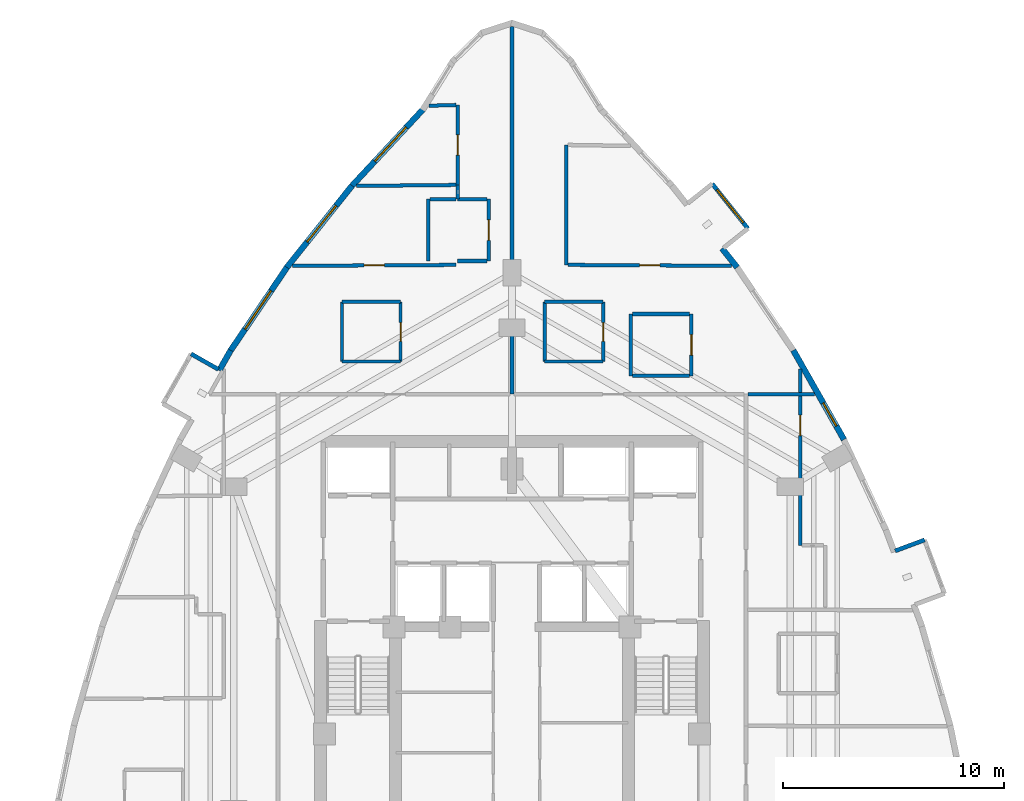
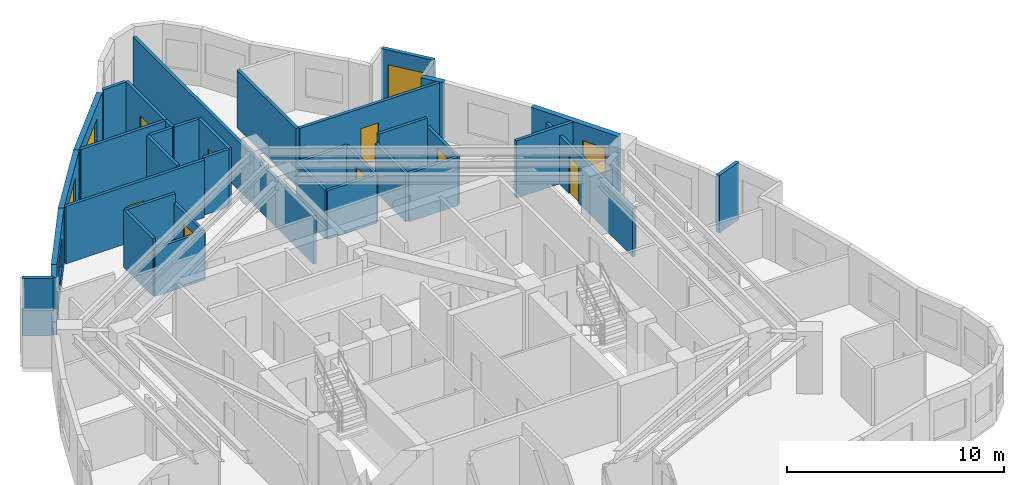
# One storey, part 10 of 12: 36 walls, 8 doors, 5 windows, 13 openings.
"""IFC4 building model written with IfcOpenShell, lengths in metres."""

import ifcopenshell
import ifcopenshell.guid

model = None  # the IFC model being written
_history = None  # IfcOwnerHistory: only IFC2X3 demands one
_inside = {}  # id of a spatial element -> (the spatial element, [elements in it])
_under = {}  # id of a project, library or spatial element -> (it, [spatial elements below it])
_declared = {}  # id of a project -> (the project, [libraries it declares])
_typed = {}  # id of a type object -> (the type object, [elements of that type])
_made_of = {}  # id of a material, layer set ... -> (it, [elements and type objects made of it])


def new_model(schema):
    """Start an empty IFC model of exactly this schema.

    Asked for "IFC4X3", IfcOpenShell would pick the latest addendum, in which some entities
    have other attributes; the version numbers below select the first issue.
    IFC2X3 requires an IfcOwnerHistory on every rooted entity: one is made here for all.
    """
    global model, _history
    if schema == "IFC4X3":
        model = ifcopenshell.file(schema_version=(4, 3, 0, 0))
    else:
        model = ifcopenshell.file(schema=schema)
    _inside.clear()
    _under.clear()
    _declared.clear()
    _typed.clear()
    _made_of.clear()
    _history = None
    if model.schema == "IFC2X3":
        org = make("IfcOrganization", Name="unknown")
        user = make(
            "IfcPersonAndOrganization",
            ThePerson=make("IfcPerson", FamilyName="unknown"),
            TheOrganization=org,
        )
        app = make(
            "IfcApplication",
            ApplicationDeveloper=org,
            Version="unknown",
            ApplicationFullName="unknown",
            ApplicationIdentifier="unknown",
        )
        _history = make(
            "IfcOwnerHistory",
            OwningUser=user,
            OwningApplication=app,
            ChangeAction="ADDED",
            CreationDate=0,
        )
    return model


def make(cls, **values):
    """One entity of the class cls with the attributes given. An attribute that is None is left unset."""
    return model.create_entity(
        cls, **{name: value for name, value in values.items() if value is not None}
    )


def rooted(cls, **values):
    """An entity with a GlobalId (a new one), such as an element, a storey or a relation."""
    return make(cls, GlobalId=ifcopenshell.guid.new(), OwnerHistory=_history, **values)


def si_unit(unit_type, name, prefix=None):
    """IfcSIUnit, for example si_unit("LENGTHUNIT", "METRE", prefix="MILLI")."""
    return make("IfcSIUnit", UnitType=unit_type, Prefix=prefix, Name=name)


def assignment(units):
    """IfcUnitAssignment: the units of a project."""
    return None if units is None else make("IfcUnitAssignment", Units=units)


def point(xyz):
    """IfcCartesianPoint."""
    return None if xyz is None else make("IfcCartesianPoint", Coordinates=xyz)


def direction(xyz):
    """IfcDirection."""
    return None if xyz is None else make("IfcDirection", DirectionRatios=xyz)


def frame(location, z_axis=None, x_axis=None):
    """IfcAxis2Placement3D, a coordinate frame: its origin and axes. An axis left out is left unset."""
    return make(
        "IfcAxis2Placement3D",
        Location=point(location),
        Axis=direction(z_axis),
        RefDirection=direction(x_axis),
    )


def frame_2d(location, x_axis=None):
    """IfcAxis2Placement2D, a coordinate frame in the plane: its origin and x axis."""
    return make(
        "IfcAxis2Placement2D", Location=point(location), RefDirection=direction(x_axis)
    )


def origin():
    """The frame at (0, 0, 0) with its axes left unset."""
    return frame((0.0, 0.0, 0.0))


def place(relative_to, where):
    """IfcLocalPlacement: puts the frame where relative to a parent placement (None: the world)."""
    return make(
        "IfcLocalPlacement", PlacementRelTo=relative_to, RelativePlacement=where
    )


def context(
    kind, dimensions, precision=None, world=None, true_north=None, identifier=None
):
    """IfcGeometricRepresentationContext, for example the 3D "Model" context."""
    return make(
        "IfcGeometricRepresentationContext",
        ContextIdentifier=identifier,
        ContextType=kind,
        CoordinateSpaceDimension=dimensions,
        Precision=precision,
        WorldCoordinateSystem=world,
        TrueNorth=true_north,
    )


def subcontext(parent, identifier, kind, view, scale=None):
    """IfcGeometricRepresentationSubContext, for example "Body" below "Model"."""
    return make(
        "IfcGeometricRepresentationSubContext",
        ContextIdentifier=identifier,
        ContextType=kind,
        ParentContext=parent,
        TargetScale=scale,
        TargetView=view,
    )


def project(units=None, contexts=None):
    """IfcProject with its units and contexts."""
    return rooted(
        "IfcProject",
        Name="project",
        RepresentationContexts=contexts,
        UnitsInContext=assignment(units),
    )


def spatial(cls, under=None, at=None, **own):
    """A site, building, storey or space (cls), placed at a placement, below another one or the project."""
    s = rooted(cls, ObjectPlacement=at, **own)
    if under is not None:
        _under.setdefault(under.id(), (under, []))[1].append(s)
    return s


def profile(cls, at=None, kind="AREA", **sizes):
    """A parametric profile (cls). Its sizes go by their IFC names, for example OverallWidth=200.0."""
    return make(cls, ProfileType=kind, Position=at, **sizes)


def rectangle(**sizes):
    """IfcRectangleProfileDef."""
    return profile("IfcRectangleProfileDef", **sizes)


def extrude(swept, where, along, depth):
    """IfcExtrudedAreaSolid: the profile swept, set in the frame where, extruded along a direction by depth."""
    return make(
        "IfcExtrudedAreaSolid",
        SweptArea=swept,
        Position=where,
        ExtrudedDirection=direction(along),
        Depth=depth,
    )


def shape(context_of_items, identifier, shape_type, items):
    """IfcShapeRepresentation: the items that make up one representation, for example the "Body"."""
    return make(
        "IfcShapeRepresentation",
        ContextOfItems=context_of_items,
        RepresentationIdentifier=identifier,
        RepresentationType=shape_type,
        Items=items,
    )


def material(Name=None, Category=None):
    """IfcMaterial."""
    return make("IfcMaterial", Name=Name, Category=Category)


def layer(
    of_material, thickness, ventilated=None, Name=None, Category=None, Priority=None
):
    """IfcMaterialLayer: one layer of a wall or slab, of a material (None: an air gap)."""
    return make(
        "IfcMaterialLayer",
        Material=of_material,
        LayerThickness=thickness,
        IsVentilated=ventilated,
        Name=Name,
        Category=Category,
        Priority=Priority,
    )


def layer_set(layers, Name=None):
    """IfcMaterialLayerSet."""
    return make("IfcMaterialLayerSet", MaterialLayers=layers, LayerSetName=Name)


def made_of(thing, what):
    """Note that an element or type object is made of a material, layer set ...; save() writes the relation."""
    if what is not None:
        _made_of.setdefault(what.id(), (what, []))[1].append(thing)
    return thing


def type_object(cls, material=None, **own):
    """A type object (cls), such as IfcWallType, which elements share."""
    return made_of(rooted(cls, **own), material)


def element(
    cls,
    number,
    at=None,
    inside=None,
    cuts=None,
    type_object=None,
    material=None,
    context=None,
    identifier="Body",
    shape_type=None,
    held_by="IfcProductDefinitionShape",
    body=None,
    shapes=None,
    **own,
):
    """One element of the class cls, such as IfcWall. Its Tag is "e" and its number.

    at: its placement. inside: the storey or other place that contains it. cuts: it is an
    opening in that element (IfcRelVoidsElement). A single representation is given by context,
    identifier, shape_type and body (its items); several are given by shapes. held_by: the class
    of the entity that holds the representations. save() writes the other relations.
    """
    e = rooted(cls, Tag="e%d" % number, ObjectPlacement=at, **own)
    if body is not None:
        shapes = [shape(context, identifier, shape_type, body)]
    if shapes is not None:
        e.Representation = make(held_by, Representations=shapes)
    if inside is not None:
        _inside.setdefault(inside.id(), (inside, []))[1].append(e)
    if cuts is not None:
        rooted(
            "IfcRelVoidsElement", RelatingBuildingElement=cuts, RelatedOpeningElement=e
        )
    if type_object is not None:
        _typed.setdefault(type_object.id(), (type_object, []))[1].append(e)
    return made_of(e, material)


def fill(opening, filler):
    """IfcRelFillsElement: the door or window that sits in an opening."""
    return rooted(
        "IfcRelFillsElement",
        RelatingOpeningElement=opening,
        RelatedBuildingElement=filler,
    )


def aggregate(whole, parts):
    """IfcRelAggregates: a whole, such as a stair, and the parts it consists of."""
    return rooted("IfcRelAggregates", RelatingObject=whole, RelatedObjects=parts)


def save(model, path):
    """Write the relations noted so far, then the file.

    IfcRelAggregates (storeys below a building ...), IfcRelContainedInSpatialStructure (elements
    in a storey), IfcRelDefinesByType, IfcRelAssociatesMaterial and IfcRelDeclares: one each for
    every whole, place, type object, material and project.
    """
    for whole, parts in _under.values():
        aggregate(whole, parts)
    for where, things in _inside.values():
        rooted(
            "IfcRelContainedInSpatialStructure",
            RelatedElements=things,
            RelatingStructure=where,
        )
    for kind, things in _typed.values():
        rooted("IfcRelDefinesByType", RelatedObjects=things, RelatingType=kind)
    for what, things in _made_of.values():
        rooted("IfcRelAssociatesMaterial", RelatedObjects=things, RelatingMaterial=what)
    for by, libraries in _declared.values():
        rooted("IfcRelDeclares", RelatingContext=by, RelatedDefinitions=libraries)
    model.write(path)


model = new_model("IFC4")

# Units and contexts
model_context = context("Model", 3, precision=1e-05, world=origin(), true_north=direction((0.0, 1.0)))
body_context = subcontext(model_context, "Body", "Model", "MODEL_VIEW")
ifc_project = project(units=[si_unit("LENGTHUNIT", "METRE"), si_unit("AREAUNIT", "SQUARE_METRE"), si_unit("VOLUMEUNIT", "CUBIC_METRE"), si_unit("PLANEANGLEUNIT", "RADIAN"), si_unit("MASSUNIT", "GRAM", prefix="KILO")], contexts=[model_context])

# Site, building, storey
site_placement = place(None, origin())
site = spatial("IfcSite", under=ifc_project, at=site_placement, CompositionType="ELEMENT")
building_placement = place(site_placement, origin())
building = spatial("IfcBuilding", under=site, at=building_placement, Name="Miruveldt Soraemaru", CompositionType="ELEMENT")
storey_placement = place(building_placement, frame((0.0, 0.0, 103.89990234375)))
storey = spatial("IfcBuildingStorey", under=building, at=storey_placement, Name="L28", CompositionType="ELEMENT", Elevation=103.89990234375)

# Walls
ifc_material_1 = material(Name="White powder-coated aluminium EN AW-6060 T6", Category="aluminium")
ifc_layer_1 = layer(ifc_material_1, 0.18994140625, Name="White powder-coated aluminium EN AW-6060 T6", Category="aluminium")
ifc_layer_set_1 = layer_set([ifc_layer_1], Name="White powder-coated aluminium EN AW-6060 T6")
wall_type_1 = type_object("IfcWallType", Name="WALL-BAY-ALU190", PredefinedType="SOLIDWALL", material=ifc_layer_set_1)
for number, where, z_axis, x_axis, name in (
    (1, (30.7021484375, 55.720703125, 0.0), (0.0, 0.0, 1.0), (-0.869799191674, 0.493405883794, 0.0), "L28 Bay Window Side Cheek 4L"),
    (2, (62.691650390625, 47.997314453125, 0.0), (0.0, 0.0, 1.0), (-0.937073323404, -0.34913262031, 0.0), "L28 Bay Window Side Cheek 2R"),
):
    element("IfcWall", number, at=place(storey_placement, frame(where, z_axis=z_axis, x_axis=x_axis)), inside=storey, type_object=wall_type_1, Name=name, PredefinedType="SOLIDWALL", context=body_context, shape_type="SweptSolid", body=[
        extrude(rectangle(XDim=1.425048828125, YDim=0.18994140625, at=frame_2d((0.71240234375, 0.0))), origin(), (0.0, 0.0, 1.0), 3.235107421875),
    ])

# Wall, opening, window
wall_1_placement = place(storey_placement, frame((54.690673828125, 62.099365234375, 0.0), z_axis=(0.0, 0.0, 1.0), x_axis=(-0.623606546405, 0.781738367538, 0.0)))
wall_1 = element("IfcWall", 3, at=wall_1_placement, inside=storey, type_object=wall_type_1, Name="L28 Bay Window Front Frame 3", PredefinedType="SOLIDWALL", context=body_context, shape_type="SweptSolid", body=[
    extrude(rectangle(XDim=2.599853515625, YDim=0.18994140625, at=frame_2d((1.2998046875, 0.0))), origin(), (0.0, 0.0, 1.0), 3.235107421875),
])
opening_1_placement = place(wall_1_placement, frame((0.35009765625, 0.0, 0.550048828125)))
opening_1 = element("IfcOpeningElement", 4, at=opening_1_placement, cuts=wall_1, Name="Opening WN-6", PredefinedType="OPENING", context=body_context, shape_type="SweptSolid", body=[
    extrude(rectangle(XDim=1.89990234375, YDim=1.85009765625, at=frame_2d((0.949951171875, 0.925048828125))), frame((0.0, 0.10498046875, 0.0), z_axis=(0.0, -1.0, 0.0), x_axis=(1.0, 0.0, 0.0)), (0.0, 0.0, 1.0), 0.2099609375),
])
ifc_material_2 = material(Name="Triple low-e insulated glazing", Category="glass")
window_type_1 = type_object("IfcWindowType", Name="WIN-BAYW-1900x1850", PartitioningType="SINGLE_PANEL", PredefinedType="WINDOW", material=ifc_material_2)
window_1_placement = place(opening_1_placement, origin())
window_1 = element("IfcWindow", 5, at=window_1_placement, inside=storey, type_object=window_type_1, Name="L28 Projecting Bay Window 3", OverallHeight=1.85009765625, OverallWidth=1.89990234375, PartitioningType="SINGLE_PANEL", PredefinedType="WINDOW", context=body_context, shape_type="SweptSolid", body=[
    extrude(rectangle(XDim=1.89990234375, YDim=1.85009765625, at=frame_2d((0.949951171875, 0.925048828125))), frame((0.0, 0.030029296875, 0.0), z_axis=(0.0, -1.0, 0.0), x_axis=(1.0, 0.0, 0.0)), (0.0, 0.0, 1.0), 0.06005859375),
])
fill(opening_1, window_1)

ifc_material_3 = material(Name="Precast concrete C45/55 (45 MPa)", Category="concrete")
ifc_layer_2 = layer(ifc_material_3, 0.27001953125, Name="Precast concrete C45/55 (45 MPa)", Category="concrete")
ifc_layer_set_2 = layer_set([ifc_layer_2], Name="Precast concrete C45/55 (45 MPa)")
wall_type_2 = type_object("IfcWallType", Name="WALL-EXT-PC270", PredefinedType="SOLIDWALL", material=ifc_layer_set_2)
wall_2_placement = place(storey_placement, frame((39.990478515625, 67.521240234375, 0.0), z_axis=(0.0, 0.0, 1.0), x_axis=(-0.680886087192, -0.732389333803, 0.0)))
wall_2 = element("IfcWall", 6, at=wall_2_placement, inside=storey, type_object=wall_type_2, Name="L28 Precast Concrete Facade Wall 7", PredefinedType="SOLIDWALL", context=body_context, shape_type="SweptSolid", body=[
    extrude(rectangle(XDim=4.82080078125, YDim=0.27001953125, at=frame_2d((2.410400390625, 0.0))), origin(), (0.0, 0.0, 1.0), 3.235107421875),
])
opening_2_placement = place(wall_2_placement, frame((1.14404296875, 0.0, 0.800048828125)))
opening_2 = element("IfcOpeningElement", 7, at=opening_2_placement, cuts=wall_2, Name="Opening WN-1", PredefinedType="OPENING", context=body_context, shape_type="SweptSolid", body=[
    extrude(rectangle(XDim=2.10009765625, YDim=1.699951171875, at=frame_2d((1.050048828125, 0.85009765625))), frame((0.0, 0.14501953125, 0.0), z_axis=(0.0, -1.0, 0.0), x_axis=(1.0, 0.0, 0.0)), (0.0, 0.0, 1.0), 0.2900390625),
])
window_type_2 = type_object("IfcWindowType", Name="WIN-PUNCH-2100x1700", PartitioningType="SINGLE_PANEL", PredefinedType="WINDOW", material=ifc_material_2)
window_2_placement = place(opening_2_placement, origin())
window_2 = element("IfcWindow", 8, at=window_2_placement, inside=storey, type_object=window_type_2, Name="L28 Punched Triple-Glazed Window 07.1", OverallHeight=1.699951171875, OverallWidth=2.10009765625, PartitioningType="SINGLE_PANEL", PredefinedType="WINDOW", context=body_context, shape_type="SweptSolid", body=[
    extrude(rectangle(XDim=2.10009765625, YDim=1.699951171875, at=frame_2d((1.050048828125, 0.85009765625))), frame((0.0, 0.030029296875, 0.0), z_axis=(0.0, -1.0, 0.0), x_axis=(1.0, 0.0, 0.0)), (0.0, 0.0, 1.0), 0.06005859375),
])
fill(opening_2, window_2)

wall_3_placement = place(storey_placement, frame((36.753662109375, 64.043701171875, 0.0), z_axis=(0.0, 0.0, 1.0), x_axis=(-0.62358791195, -0.78175323221, 0.0)))
wall_3 = element("IfcWall", 9, at=wall_3_placement, inside=storey, type_object=wall_type_2, Name="L28 Precast Concrete Facade Wall 8", PredefinedType="SOLIDWALL", context=body_context, shape_type="SweptSolid", body=[
    extrude(rectangle(XDim=4.735595703125, YDim=0.27001953125, at=frame_2d((2.36767578125, 0.0))), origin(), (0.0, 0.0, 1.0), 3.235107421875),
])
opening_3_placement = place(wall_3_placement, frame((1.158935546875, 0.0, 0.800048828125)))
opening_3 = element("IfcOpeningElement", 10, at=opening_3_placement, cuts=wall_3, Name="Opening WN-1", PredefinedType="OPENING", context=body_context, shape_type="SweptSolid", body=[
    extrude(rectangle(XDim=2.10009765625, YDim=1.699951171875, at=frame_2d((1.050048828125, 0.85009765625))), frame((0.0, 0.14501953125, 0.0), z_axis=(0.0, -1.0, 0.0), x_axis=(1.0, 0.0, 0.0)), (0.0, 0.0, 1.0), 0.2900390625),
])
window_3_placement = place(opening_3_placement, origin())
window_3 = element("IfcWindow", 11, at=window_3_placement, inside=storey, type_object=window_type_2, Name="L28 Punched Triple-Glazed Window 08.1", OverallHeight=1.699951171875, OverallWidth=2.10009765625, PartitioningType="SINGLE_PANEL", PredefinedType="WINDOW", context=body_context, shape_type="SweptSolid", body=[
    extrude(rectangle(XDim=2.10009765625, YDim=1.699951171875, at=frame_2d((1.050048828125, 0.85009765625))), frame((0.0, 0.030029296875, 0.0), z_axis=(0.0, -1.0, 0.0), x_axis=(1.0, 0.0, 0.0)), (0.0, 0.0, 1.0), 0.06005859375),
])
fill(opening_3, window_3)

wall_4_placement = place(storey_placement, frame((33.841796875, 60.39794921875, 0.0), z_axis=(0.0, 0.0, 1.0), x_axis=(-0.560815831127, -0.827940579726, 0.0)))
wall_4 = element("IfcWall", 12, at=wall_4_placement, inside=storey, type_object=wall_type_2, Name="L28 Precast Concrete Facade Wall 9", PredefinedType="SOLIDWALL", context=body_context, shape_type="SweptSolid", body=[
    extrude(rectangle(XDim=4.677734375, YDim=0.27001953125, at=frame_2d((2.3388671875, 0.0))), origin(), (0.0, 0.0, 1.0), 3.235107421875),
])
opening_4_placement = place(wall_4_placement, frame((1.346923828125, 0.0, 0.800048828125)))
opening_4 = element("IfcOpeningElement", 13, at=opening_4_placement, cuts=wall_4, Name="Opening WN-1", PredefinedType="OPENING", context=body_context, shape_type="SweptSolid", body=[
    extrude(rectangle(XDim=2.10009765625, YDim=1.699951171875, at=frame_2d((1.050048828125, 0.85009765625))), frame((0.0, 0.14501953125, 0.0), z_axis=(0.0, -1.0, 0.0), x_axis=(1.0, 0.0, 0.0)), (0.0, 0.0, 1.0), 0.2900390625),
])
window_4_placement = place(opening_4_placement, origin())
window_4 = element("IfcWindow", 14, at=window_4_placement, inside=storey, type_object=window_type_2, Name="L28 Punched Triple-Glazed Window 09.1", OverallHeight=1.699951171875, OverallWidth=2.10009765625, PartitioningType="SINGLE_PANEL", PredefinedType="WINDOW", context=body_context, shape_type="SweptSolid", body=[
    extrude(rectangle(XDim=2.10009765625, YDim=1.699951171875, at=frame_2d((1.050048828125, 0.85009765625))), frame((0.0, 0.030029296875, 0.0), z_axis=(0.0, -1.0, 0.0), x_axis=(1.0, 0.0, 0.0)), (0.0, 0.0, 1.0), 0.06005859375),
])
fill(opening_4, window_4)

# Wall
wall_5_placement = place(storey_placement, frame((31.25537109375, 56.584716796875, 0.0), z_axis=(0.0, 0.0, 1.0), x_axis=(-0.493368864845, -0.869820190155, 0.0)))
element("IfcWall", 15, at=wall_5_placement, inside=storey, type_object=wall_type_2, Name="L28 Precast Pier Wall 10A", PredefinedType="SOLIDWALL", context=body_context, shape_type="SweptSolid", body=[
    extrude(rectangle(XDim=1.054443359375, YDim=0.27001953125, at=frame_2d((0.52734375, 0.0))), origin(), (0.0, 0.0, 1.0), 3.235107421875),
])

# Wall, opening, window
wall_6_placement = place(storey_placement, frame((59.0380859375, 52.541259765625, 0.0), z_axis=(0.0, 0.0, 1.0), x_axis=(-0.493365015051, 0.869822373778, 0.0)))
wall_6 = element("IfcWall", 16, at=wall_6_placement, inside=storey, type_object=wall_type_2, Name="L28 Precast Concrete Facade Wall 39", PredefinedType="SOLIDWALL", context=body_context, shape_type="SweptSolid", body=[
    extrude(rectangle(XDim=4.648681640625, YDim=0.27001953125, at=frame_2d((2.32421875, 0.0))), origin(), (0.0, 0.0, 1.0), 3.235107421875),
])
opening_5_placement = place(wall_6_placement, frame((0.700927734375, 0.0, 0.780029296875)))
opening_5 = element("IfcOpeningElement", 17, at=opening_5_placement, cuts=wall_6, Name="Opening WN-4", PredefinedType="OPENING", context=body_context, shape_type="SweptSolid", body=[
    extrude(rectangle(XDim=1.199951171875, YDim=1.550048828125, at=frame_2d((0.60009765625, 0.77490234375))), frame((0.0, 0.14501953125, 0.0), z_axis=(0.0, -1.0, 0.0), x_axis=(1.0, 0.0, 0.0)), (0.0, 0.0, 1.0), 0.2900390625),
])
window_type_3 = type_object("IfcWindowType", Name="WIN-PUNCH-1200x1550", PartitioningType="SINGLE_PANEL", PredefinedType="WINDOW", material=ifc_material_2)
window_5_placement = place(opening_5_placement, origin())
window_5 = element("IfcWindow", 18, at=window_5_placement, inside=storey, type_object=window_type_3, Name="L28 Punched Triple-Glazed Window 39.1", OverallHeight=1.550048828125, OverallWidth=1.199951171875, PartitioningType="SINGLE_PANEL", PredefinedType="WINDOW", context=body_context, shape_type="SweptSolid", body=[
    extrude(rectangle(XDim=1.199951171875, YDim=1.550048828125, at=frame_2d((0.60009765625, 0.77490234375))), frame((0.0, 0.030029296875, 0.0), z_axis=(0.0, -1.0, 0.0), x_axis=(1.0, 0.0, 0.0)), (0.0, 0.0, 1.0), 0.06005859375),
])
fill(opening_5, window_5)

# Wall
wall_7_placement = place(storey_placement, frame((54.199462890625, 60.341552734375, 0.0), z_axis=(0.0, 0.0, 1.0), x_axis=(-0.623609566666, 0.781735958213, 0.0)))
element("IfcWall", 19, at=wall_7_placement, inside=storey, type_object=wall_type_2, Name="L28 Precast Pier Wall 41A", PredefinedType="SOLIDWALL", context=body_context, shape_type="SweptSolid", body=[
    extrude(rectangle(XDim=1.09765625, YDim=0.27001953125, at=frame_2d((0.548828125, 0.0))), origin(), (0.0, 0.0, 1.0), 3.235107421875),
])

# Wall, opening, door
ifc_material_4 = material(Name="Gypsum plasterboard lining", Category="gypsum")
ifc_layer_3 = layer(ifc_material_4, 0.14990234375, Name="Gypsum plasterboard lining", Category="gypsum")
ifc_layer_set_3 = layer_set([ifc_layer_3], Name="Gypsum plasterboard lining")
wall_type_3 = type_object("IfcWallType", Name="WALL-INT-PLUMB", PredefinedType="PLUMBINGWALL", material=ifc_layer_set_3)
wall_8_placement = place(storey_placement, frame((38.952880859375, 56.080078125, 0.0), z_axis=(0.0, 0.0, 1.0), x_axis=(0.0, 1.0, 0.0)))
wall_8 = element("IfcWall", 20, at=wall_8_placement, inside=storey, type_object=wall_type_3, Name="L28 Partition Wall 9", PredefinedType="PLUMBINGWALL", context=body_context, shape_type="SweptSolid", body=[
    extrude(rectangle(XDim=2.699951171875, YDim=0.14990234375, at=frame_2d((1.35009765625, 0.0))), origin(), (0.0, 0.0, 1.0), 2.72314453125),
])
opening_6_placement = place(wall_8_placement, frame((0.909912109375, 0.0, 0.0)))
opening_6 = element("IfcOpeningElement", 21, at=opening_6_placement, cuts=wall_8, Name="Opening FD3", PredefinedType="OPENING", context=body_context, shape_type="SweptSolid", body=[
    extrude(rectangle(XDim=0.85009765625, YDim=2.10009765625, at=frame_2d((0.425048828125, 1.050048828125))), frame((0.0, 0.0849609375, 0.0), z_axis=(0.0, -1.0, 0.0), x_axis=(1.0, 0.0, 0.0)), (0.0, 0.0, 1.0), 0.169921875),
])
ifc_material_5 = material(Name="Anodised aluminium EN AW-6063 T6", Category="aluminium")
door_type_1 = type_object("IfcDoorType", Name="DOOR-FD3-850", OperationType="NOTDEFINED", PredefinedType="DOOR", material=ifc_material_5)
door_1_placement = place(opening_6_placement, origin())
door_1 = element("IfcDoor", 22, at=door_1_placement, inside=storey, type_object=door_type_1, Name="L28 Unit 2801 BTH Door", OperationType="SINGLE_SWING_RIGHT", OverallHeight=2.10009765625, OverallWidth=0.85009765625, PredefinedType="DOOR", context=body_context, shape_type="SweptSolid", body=[
    extrude(rectangle(XDim=0.85009765625, YDim=2.10009765625, at=frame_2d((0.425048828125, 1.050048828125))), frame((0.0, 0.02490234375, 0.0), z_axis=(0.0, -1.0, 0.0), x_axis=(1.0, 0.0, 0.0)), (0.0, 0.0, 1.0), 0.050048828125),
])
fill(opening_6, door_1)

wall_9_placement = place(storey_placement, frame((48.1298828125, 56.080078125, 0.0), z_axis=(0.0, 0.0, 1.0), x_axis=(0.0, 1.0, 0.0)))
wall_9 = element("IfcWall", 23, at=wall_9_placement, inside=storey, type_object=wall_type_3, Name="L28 Partition Wall 25", PredefinedType="PLUMBINGWALL", context=body_context, shape_type="SweptSolid", body=[
    extrude(rectangle(XDim=2.699951171875, YDim=0.14990234375, at=frame_2d((1.35009765625, 0.0))), origin(), (0.0, 0.0, 1.0), 2.72314453125),
])
opening_7_placement = place(wall_9_placement, frame((0.909912109375, 0.0, 0.0)))
opening_7 = element("IfcOpeningElement", 24, at=opening_7_placement, cuts=wall_9, Name="Opening FD3", PredefinedType="OPENING", context=body_context, shape_type="SweptSolid", body=[
    extrude(rectangle(XDim=0.85009765625, YDim=2.10009765625, at=frame_2d((0.425048828125, 1.050048828125))), frame((0.0, 0.0849609375, 0.0), z_axis=(0.0, -1.0, 0.0), x_axis=(1.0, 0.0, 0.0)), (0.0, 0.0, 1.0), 0.169921875),
])
door_2_placement = place(opening_7_placement, origin())
door_2 = element("IfcDoor", 25, at=door_2_placement, inside=storey, type_object=door_type_1, Name="L28 Unit 2802 BTH Door", OperationType="SINGLE_SWING_LEFT", OverallHeight=2.10009765625, OverallWidth=0.85009765625, PredefinedType="DOOR", context=body_context, shape_type="SweptSolid", body=[
    extrude(rectangle(XDim=0.85009765625, YDim=2.10009765625, at=frame_2d((0.425048828125, 1.050048828125))), frame((0.0, 0.02490234375, 0.0), z_axis=(0.0, -1.0, 0.0), x_axis=(1.0, 0.0, 0.0)), (0.0, 0.0, 1.0), 0.050048828125),
])
fill(opening_7, door_2)

# Walls
wall_10_placement = place(storey_placement, frame((36.302978515625, 58.780029296875, 0.0), z_axis=(0.0, 0.0, 1.0), x_axis=(0.0, -1.0, 0.0)))
element("IfcWall", 26, at=wall_10_placement, inside=storey, type_object=wall_type_3, Name="L28 Partition Wall 11", PredefinedType="PLUMBINGWALL", context=body_context, shape_type="SweptSolid", body=[
    extrude(rectangle(XDim=2.699951171875, YDim=0.14990234375, at=frame_2d((1.35009765625, 0.0))), origin(), (0.0, 0.0, 1.0), 3.235107421875),
])
wall_11_placement = place(storey_placement, frame((45.47998046875, 58.780029296875, 0.0), z_axis=(0.0, 0.0, 1.0), x_axis=(0.0, -1.0, 0.0)))
element("IfcWall", 27, at=wall_11_placement, inside=storey, type_object=wall_type_3, Name="L28 Partition Wall 27", PredefinedType="PLUMBINGWALL", context=body_context, shape_type="SweptSolid", body=[
    extrude(rectangle(XDim=2.699951171875, YDim=0.14990234375, at=frame_2d((1.35009765625, 0.0))), origin(), (0.0, 0.0, 1.0), 2.735107421875),
])
wall_12_placement = place(storey_placement, frame((38.952880859375, 58.780029296875, 0.0), z_axis=(0.0, 0.0, 1.0), x_axis=(-1.0, 0.0, 0.0)))
element("IfcWall", 28, at=wall_12_placement, inside=storey, type_object=wall_type_3, Name="L28 Partition Wall 10", PredefinedType="PLUMBINGWALL", context=body_context, shape_type="SweptSolid", body=[
    extrude(rectangle(XDim=2.64990234375, YDim=0.14990234375, at=frame_2d((1.324951171875, 0.0))), origin(), (0.0, 0.0, 1.0), 3.235107421875),
])
for number, where, z_axis, x_axis, name in (
    (29, (36.302978515625, 56.080078125, 0.0), (0.0, 0.0, 1.0), (1.0, 0.0, 0.0), "L28 Partition Wall 12"),
    (30, (48.1298828125, 58.780029296875, 0.0), (0.0, 0.0, 1.0), (-1.0, 0.0, 0.0), "L28 Partition Wall 26"),
):
    element("IfcWall", number, at=place(storey_placement, frame(where, z_axis=z_axis, x_axis=x_axis)), inside=storey, type_object=wall_type_3, Name=name, PredefinedType="PLUMBINGWALL", context=body_context, shape_type="SweptSolid", body=[
        extrude(rectangle(XDim=2.64990234375, YDim=0.14990234375, at=frame_2d((1.324951171875, 0.0))), origin(), (0.0, 0.0, 1.0), 2.72314453125),
    ])
wall_13_placement = place(storey_placement, frame((45.47998046875, 56.080078125, 0.0), z_axis=(0.0, 0.0, 1.0), x_axis=(1.0, 0.0, 0.0)))
element("IfcWall", 31, at=wall_13_placement, inside=storey, type_object=wall_type_3, Name="L28 Partition Wall 28", PredefinedType="PLUMBINGWALL", context=body_context, shape_type="SweptSolid", body=[
    extrude(rectangle(XDim=2.64990234375, YDim=0.14990234375, at=frame_2d((1.324951171875, 0.0))), origin(), (0.0, 0.0, 1.0), 2.735107421875),
])

# Wall, opening, door
ifc_material_6 = material(Name="Concrete C40/50 (40 MPa)", Category="concrete")
ifc_layer_4 = layer(ifc_material_6, 0.159912109375, Name="Concrete C40/50 (40 MPa)", Category="concrete")
ifc_layer_set_4 = layer_set([ifc_layer_4], Name="Concrete C40/50 (40 MPa)")
wall_type_4 = type_object("IfcWallType", Name="WALL-INT-RC160", PredefinedType="SOLIDWALL", material=ifc_layer_set_4)
wall_14_placement = place(storey_placement, frame((57.050048828125, 47.7490234375, 0.0), z_axis=(0.0, 0.0, 1.0), x_axis=(0.0, 1.0, 0.0)))
wall_14 = element("IfcWall", 32, at=wall_14_placement, inside=storey, type_object=wall_type_4, Name="L28 Partition Wall 65", PredefinedType="SOLIDWALL", context=body_context, shape_type="SweptSolid", body=[
    extrude(rectangle(XDim=7.992919921875, YDim=0.159912109375, at=frame_2d((3.99658203125, 0.0))), origin(), (0.0, 0.0, 1.0), 2.72314453125),
])
opening_8_placement = place(wall_14_placement, frame((4.97607421875, 0.0, 0.0)))
opening_8 = element("IfcOpeningElement", 33, at=opening_8_placement, cuts=wall_14, Name="Opening D3A", PredefinedType="OPENING", context=body_context, shape_type="SweptSolid", body=[
    extrude(rectangle(XDim=0.919921875, YDim=2.10009765625, at=frame_2d((0.4599609375, 1.050048828125))), frame((0.0, 0.08984375, 0.0), z_axis=(0.0, -1.0, 0.0), x_axis=(1.0, 0.0, 0.0)), (0.0, 0.0, 1.0), 0.179931640625),
])
door_type_2 = type_object("IfcDoorType", Name="DOOR-INT-920", OperationType="NOTDEFINED", PredefinedType="DOOR", material=ifc_material_5)
door_3_placement = place(opening_8_placement, origin())
door_3 = element("IfcDoor", 34, at=door_3_placement, inside=storey, type_object=door_type_2, Name="L28 Unit 2805 BD1 Door", OperationType="SINGLE_SWING_LEFT", OverallHeight=2.10009765625, OverallWidth=0.919921875, PredefinedType="DOOR", context=body_context, shape_type="SweptSolid", body=[
    extrude(rectangle(XDim=0.919921875, YDim=2.10009765625, at=frame_2d((0.4599609375, 1.050048828125))), frame((0.0, 0.02490234375, 0.0), z_axis=(0.0, -1.0, 0.0), x_axis=(1.0, 0.0, 0.0)), (0.0, 0.0, 1.0), 0.050048828125),
])
fill(opening_8, door_3)

wall_15_placement = place(storey_placement, frame((41.469970703125, 60.452880859375, 0.0), z_axis=(0.0, 0.0, 1.0), x_axis=(-0.999983245828, -0.005788615026, 0.0)))
wall_15 = element("IfcWall", 35, at=wall_15_placement, inside=storey, type_object=wall_type_4, Name="L28 Partition Wall 17", PredefinedType="SOLIDWALL", context=body_context, shape_type="SweptSolid", body=[
    extrude(rectangle(XDim=7.423095703125, YDim=0.159912109375, at=frame_2d((3.71142578125, 0.0))), origin(), (0.0, 0.0, 1.0), 3.235107421875),
])
opening_9_placement = place(wall_15_placement, frame((3.251953125, 0.0, 0.0)))
opening_9 = element("IfcOpeningElement", 36, at=opening_9_placement, cuts=wall_15, Name="Opening D3A", PredefinedType="OPENING", context=body_context, shape_type="SweptSolid", body=[
    extrude(rectangle(XDim=0.919921875, YDim=2.10009765625, at=frame_2d((0.4599609375, 1.050048828125))), frame((0.0, 0.08984375, 0.0), z_axis=(0.0, -1.0, 0.0), x_axis=(1.0, 0.0, 0.0)), (0.0, 0.0, 1.0), 0.179931640625),
])
door_4_placement = place(opening_9_placement, origin())
door_4 = element("IfcDoor", 37, at=door_4_placement, inside=storey, type_object=door_type_2, Name="L28 Unit 2801 BD1 Door", OperationType="SINGLE_SWING_RIGHT", OverallHeight=2.10009765625, OverallWidth=0.919921875, PredefinedType="DOOR", context=body_context, shape_type="SweptSolid", body=[
    extrude(rectangle(XDim=0.919921875, YDim=2.10009765625, at=frame_2d((0.4599609375, 1.050048828125))), frame((0.0, 0.02490234375, 0.0), z_axis=(0.0, -1.0, 0.0), x_axis=(1.0, 0.0, 0.0)), (0.0, 0.0, 1.0), 0.050048828125),
])
fill(opening_9, door_4)

wall_16_placement = place(storey_placement, frame((53.952880859375, 60.409912109375, 0.0), z_axis=(0.0, 0.0, 1.0), x_axis=(-0.999983245828, 0.005788615026, 0.0)))
wall_16 = element("IfcWall", 38, at=wall_16_placement, inside=storey, type_object=wall_type_4, Name="L28 Partition Wall 33", PredefinedType="SOLIDWALL", context=body_context, shape_type="SweptSolid", body=[
    extrude(rectangle(XDim=7.423095703125, YDim=0.159912109375, at=frame_2d((3.71142578125, 0.0))), origin(), (0.0, 0.0, 1.0), 3.235107421875),
])
opening_10_placement = place(wall_16_placement, frame((3.251953125, 0.0, 0.0)))
opening_10 = element("IfcOpeningElement", 39, at=opening_10_placement, cuts=wall_16, Name="Opening D3A", PredefinedType="OPENING", context=body_context, shape_type="SweptSolid", body=[
    extrude(rectangle(XDim=0.919921875, YDim=2.10009765625, at=frame_2d((0.4599609375, 1.050048828125))), frame((0.0, 0.08984375, 0.0), z_axis=(0.0, -1.0, 0.0), x_axis=(1.0, 0.0, 0.0)), (0.0, 0.0, 1.0), 0.179931640625),
])
door_5_placement = place(opening_10_placement, origin())
door_5 = element("IfcDoor", 40, at=door_5_placement, inside=storey, type_object=door_type_2, Name="L28 Unit 2802 BD1 Door", OperationType="SINGLE_SWING_LEFT", OverallHeight=2.10009765625, OverallWidth=0.919921875, PredefinedType="DOOR", context=body_context, shape_type="SweptSolid", body=[
    extrude(rectangle(XDim=0.919921875, YDim=2.10009765625, at=frame_2d((0.4599609375, 1.050048828125))), frame((0.0, 0.02490234375, 0.0), z_axis=(0.0, -1.0, 0.0), x_axis=(1.0, 0.0, 0.0)), (0.0, 0.0, 1.0), 0.050048828125),
])
fill(opening_10, door_5)

wall_17_placement = place(storey_placement, frame((41.550048828125, 67.699951171875, 0.0), z_axis=(0.0, 0.0, 1.0), x_axis=(0.0, -1.0, 0.0)))
wall_17 = element("IfcWall", 41, at=wall_17_placement, inside=storey, type_object=wall_type_4, Name="L28 Partition Wall 19", PredefinedType="SOLIDWALL", context=body_context, shape_type="SweptSolid", body=[
    extrude(rectangle(XDim=3.623046875, YDim=0.159912109375, at=frame_2d((1.8115234375, 0.0))), origin(), (0.0, 0.0, 1.0), 3.235107421875),
])
opening_11_placement = place(wall_17_placement, frame((1.35205078125, 0.0, 0.0)))
opening_11 = element("IfcOpeningElement", 42, at=opening_11_placement, cuts=wall_17, Name="Opening D3A", PredefinedType="OPENING", context=body_context, shape_type="SweptSolid", body=[
    extrude(rectangle(XDim=0.919921875, YDim=2.10009765625, at=frame_2d((0.4599609375, 1.050048828125))), frame((0.0, 0.08984375, 0.0), z_axis=(0.0, -1.0, 0.0), x_axis=(1.0, 0.0, 0.0)), (0.0, 0.0, 1.0), 0.179931640625),
])
door_6_placement = place(opening_11_placement, origin())
door_6 = element("IfcDoor", 43, at=door_6_placement, inside=storey, type_object=door_type_2, Name="L28 Unit 2801 BD2 Door", OperationType="SINGLE_SWING_LEFT", OverallHeight=2.10009765625, OverallWidth=0.919921875, PredefinedType="DOOR", context=body_context, shape_type="SweptSolid", body=[
    extrude(rectangle(XDim=0.919921875, YDim=2.10009765625, at=frame_2d((0.4599609375, 1.050048828125))), frame((0.0, 0.02490234375, 0.0), z_axis=(0.0, -1.0, 0.0), x_axis=(1.0, 0.0, 0.0)), (0.0, 0.0, 1.0), 0.050048828125),
])
fill(opening_11, door_6)

wall_18_placement = place(storey_placement, frame((42.952880859375, 60.6298828125, 0.0), z_axis=(0.0, 0.0, 1.0), x_axis=(0.0, 1.0, 0.0)))
wall_18 = element("IfcWall", 44, at=wall_18_placement, inside=storey, type_object=wall_type_4, Name="L28 Partition Wall 13", PredefinedType="SOLIDWALL", context=body_context, shape_type="SweptSolid", body=[
    extrude(rectangle(XDim=2.800048828125, YDim=0.159912109375, at=frame_2d((1.39990234375, 0.0))), origin(), (0.0, 0.0, 1.0), 3.235107421875),
])
opening_12_placement = place(wall_18_placement, frame((0.93994140625, 0.0, 0.0)))
opening_12 = element("IfcOpeningElement", 45, at=opening_12_placement, cuts=wall_18, Name="Opening D3A", PredefinedType="OPENING", context=body_context, shape_type="SweptSolid", body=[
    extrude(rectangle(XDim=0.919921875, YDim=2.10009765625, at=frame_2d((0.4599609375, 1.050048828125))), frame((0.0, 0.08984375, 0.0), z_axis=(0.0, -1.0, 0.0), x_axis=(1.0, 0.0, 0.0)), (0.0, 0.0, 1.0), 0.179931640625),
])
door_7_placement = place(opening_12_placement, origin())
door_7 = element("IfcDoor", 46, at=door_7_placement, inside=storey, type_object=door_type_2, Name="L28 Unit 2801 KIT Door", OperationType="SINGLE_SWING_LEFT", OverallHeight=2.10009765625, OverallWidth=0.919921875, PredefinedType="DOOR", context=body_context, shape_type="SweptSolid", body=[
    extrude(rectangle(XDim=0.919921875, YDim=2.10009765625, at=frame_2d((0.4599609375, 1.050048828125))), frame((0.0, 0.02490234375, 0.0), z_axis=(0.0, -1.0, 0.0), x_axis=(1.0, 0.0, 0.0)), (0.0, 0.0, 1.0), 0.050048828125),
])
fill(opening_12, door_7)

wall_19_placement = place(storey_placement, frame((52.1298828125, 55.429931640625, 0.0), z_axis=(0.0, 0.0, 1.0), x_axis=(0.0, 1.0, 0.0)))
wall_19 = element("IfcWall", 47, at=wall_19_placement, inside=storey, type_object=wall_type_4, Name="L28 Partition Wall 29", PredefinedType="SOLIDWALL", context=body_context, shape_type="SweptSolid", body=[
    extrude(rectangle(XDim=2.800048828125, YDim=0.159912109375, at=frame_2d((1.39990234375, 0.0))), origin(), (0.0, 0.0, 1.0), 2.72314453125),
])
opening_13_placement = place(wall_19_placement, frame((0.93994140625, 0.0, 0.0)))
opening_13 = element("IfcOpeningElement", 48, at=opening_13_placement, cuts=wall_19, Name="Opening D3A", PredefinedType="OPENING", context=body_context, shape_type="SweptSolid", body=[
    extrude(rectangle(XDim=0.919921875, YDim=2.10009765625, at=frame_2d((0.4599609375, 1.050048828125))), frame((0.0, 0.08984375, 0.0), z_axis=(0.0, -1.0, 0.0), x_axis=(1.0, 0.0, 0.0)), (0.0, 0.0, 1.0), 0.179931640625),
])
door_8_placement = place(opening_13_placement, origin())
door_8 = element("IfcDoor", 49, at=door_8_placement, inside=storey, type_object=door_type_2, Name="L28 Unit 2802 KIT Door", OperationType="SINGLE_SWING_RIGHT", OverallHeight=2.10009765625, OverallWidth=0.919921875, PredefinedType="DOOR", context=body_context, shape_type="SweptSolid", body=[
    extrude(rectangle(XDim=0.919921875, YDim=2.10009765625, at=frame_2d((0.4599609375, 1.050048828125))), frame((0.0, 0.02490234375, 0.0), z_axis=(0.0, -1.0, 0.0), x_axis=(1.0, 0.0, 0.0)), (0.0, 0.0, 1.0), 0.050048828125),
])
fill(opening_13, door_8)

# Walls
wall_20_placement = place(storey_placement, frame((44.0, 54.60009765625, 0.0), z_axis=(0.0, 0.0, 1.0), x_axis=(0.0, 1.0, 0.0)))
element("IfcWall", 50, at=wall_20_placement, inside=storey, type_object=wall_type_4, Name="L28 Partition Wall 20", PredefinedType="SOLIDWALL", context=body_context, shape_type="SweptSolid", body=[
    extrude(rectangle(XDim=16.64990234375, YDim=0.159912109375, at=frame_2d((8.324951171875, 0.0))), origin(), (0.0, 0.0, 1.0), 2.72314453125),
])
wall_21_placement = place(storey_placement, frame((46.449951171875, 60.452880859375, 0.0), z_axis=(0.0, 0.0, 1.0), x_axis=(0.0, 1.0, 0.0)))
element("IfcWall", 51, at=wall_21_placement, inside=storey, type_object=wall_type_4, Name="L28 Partition Wall 34", PredefinedType="SOLIDWALL", context=body_context, shape_type="SweptSolid", body=[
    extrude(rectangle(XDim=5.43603515625, YDim=0.159912109375, at=frame_2d((2.718017578125, 0.0))), origin(), (0.0, 0.0, 1.0), 3.235107421875),
])
wall_22_placement = place(storey_placement, frame((41.469970703125, 64.075927734375, 0.0), z_axis=(0.0, 0.0, 1.0), x_axis=(-0.999946253611, -0.010367733054, 0.0)))
element("IfcWall", 52, at=wall_22_placement, inside=storey, type_object=wall_type_4, Name="L28 Partition Wall 24", PredefinedType="SOLIDWALL", context=body_context, shape_type="SweptSolid", body=[
    extrude(rectangle(XDim=4.521240234375, YDim=0.159912109375, at=frame_2d((2.2607421875, 0.0))), origin(), (0.0, 0.0, 1.0), 3.235107421875),
])
wall_23_placement = place(storey_placement, frame((54.68505859375, 54.60009765625, 0.0), z_axis=(0.0, 0.0, 1.0), x_axis=(1.0, 0.0, 0.0)))
element("IfcWall", 53, at=wall_23_placement, inside=storey, type_object=wall_type_4, Name="L28 Partition Wall 36", PredefinedType="SOLIDWALL", context=body_context, shape_type="SweptSolid", body=[
    extrude(rectangle(XDim=3.012939453125, YDim=0.159912109375, at=frame_2d((1.50634765625, 0.0))), origin(), (0.0, 0.0, 1.0), 3.235107421875),
])
wall_24_placement = place(storey_placement, frame((40.202880859375, 63.429931640625, 0.0), z_axis=(0.0, 0.0, 1.0), x_axis=(0.0, -1.0, 0.0)))
element("IfcWall", 54, at=wall_24_placement, inside=storey, type_object=wall_type_4, Name="L28 Partition Wall 23", PredefinedType="SOLIDWALL", context=body_context, shape_type="SweptSolid", body=[
    extrude(rectangle(XDim=2.800048828125, YDim=0.159912109375, at=frame_2d((1.39990234375, 0.0))), origin(), (0.0, 0.0, 1.0), 3.235107421875),
])
wall_25_placement = place(storey_placement, frame((49.3798828125, 58.22998046875, 0.0), z_axis=(0.0, 0.0, 1.0), x_axis=(0.0, -1.0, 0.0)))
element("IfcWall", 55, at=wall_25_placement, inside=storey, type_object=wall_type_4, Name="L28 Partition Wall 31", PredefinedType="SOLIDWALL", context=body_context, shape_type="SweptSolid", body=[
    extrude(rectangle(XDim=2.800048828125, YDim=0.159912109375, at=frame_2d((1.39990234375, 0.0))), origin(), (0.0, 0.0, 1.0), 2.72314453125),
])
wall_26_placement = place(storey_placement, frame((52.050048828125, 58.22998046875, 0.0), z_axis=(0.0, 0.0, 1.0), x_axis=(-1.0, 0.0, 0.0)))
element("IfcWall", 56, at=wall_26_placement, inside=storey, type_object=wall_type_4, Name="L28 Partition Wall 30", PredefinedType="SOLIDWALL", context=body_context, shape_type="SweptSolid", body=[
    extrude(rectangle(XDim=2.590087890625, YDim=0.159912109375, at=frame_2d((1.294921875, 0.0))), origin(), (0.0, 0.0, 1.0), 3.235107421875),
])
wall_27_placement = place(storey_placement, frame((49.4599609375, 55.429931640625, 0.0), z_axis=(0.0, 0.0, 1.0), x_axis=(1.0, 0.0, 0.0)))
element("IfcWall", 57, at=wall_27_placement, inside=storey, type_object=wall_type_4, Name="L28 Partition Wall 32", PredefinedType="SOLIDWALL", context=body_context, shape_type="SweptSolid", body=[
    extrude(rectangle(XDim=2.590087890625, YDim=0.159912109375, at=frame_2d((1.294921875, 0.0))), origin(), (0.0, 0.0, 1.0), 2.72314453125),
])
for number, where, z_axis, x_axis, name in (
    (58, (42.873046875, 63.429931640625, 0.0), (0.0, 0.0, 1.0), (-1.0, 0.0, 0.0), "L28 Partition Wall 14"),
    (59, (41.5400390625, 60.6298828125, 0.0), (0.0, 0.0, 1.0), (1.0, 0.0, 0.0), "L28 Partition Wall 15"),
):
    element("IfcWall", number, at=place(storey_placement, frame(where, z_axis=z_axis, x_axis=x_axis)), inside=storey, type_object=wall_type_4, Name=name, PredefinedType="SOLIDWALL", context=body_context, shape_type="SweptSolid", body=[
        extrude(rectangle(XDim=1.3330078125, YDim=0.159912109375, at=frame_2d((0.66650390625, 0.0))), origin(), (0.0, 0.0, 1.0), 3.235107421875),
    ])
wall_28_placement = place(storey_placement, frame((40.2470703125, 67.6630859375, 0.0), z_axis=(0.0, 0.0, 1.0), x_axis=(0.999592737292, 0.028536985712, 0.0)))
element("IfcWall", 60, at=wall_28_placement, inside=storey, type_object=wall_type_4, Name="L28 Partition Wall 18", PredefinedType="SOLIDWALL", context=body_context, shape_type="SweptSolid", body=[
    extrude(rectangle(XDim=1.223388671875, YDim=0.159912109375, at=frame_2d((0.61181640625, 0.0))), origin(), (0.0, 0.0, 1.0), 3.235107421875),
])
wall_29_placement = place(storey_placement, frame((41.469970703125, 63.429931640625, 0.0), z_axis=(0.0, 0.0, 1.0), x_axis=(-1.0, 0.0, 0.0)))
element("IfcWall", 61, at=wall_29_placement, inside=storey, type_object=wall_type_4, Name="L28 Partition Wall 22", PredefinedType="SOLIDWALL", context=body_context, shape_type="SweptSolid", body=[
    extrude(rectangle(XDim=1.18701171875, YDim=0.159912109375, at=frame_2d((0.593505859375, 0.0))), origin(), (0.0, 0.0, 1.0), 3.235107421875),
])
wall_30_placement = place(storey_placement, frame((41.550048828125, 64.076904296875, 0.0), z_axis=(0.0, 0.0, 1.0), x_axis=(0.0, -1.0, 0.0)))
element("IfcWall", 62, at=wall_30_placement, inside=storey, type_object=wall_type_4, Name="L28 Partition Wall 16", PredefinedType="SOLIDWALL", context=body_context, shape_type="SweptSolid", body=[
    extrude(rectangle(XDim=0.64697265625, YDim=0.159912109375, at=frame_2d((0.323486328125, 0.0))), origin(), (0.0, 0.0, 1.0), 3.235107421875),
])

save(model, "model.ifc")
